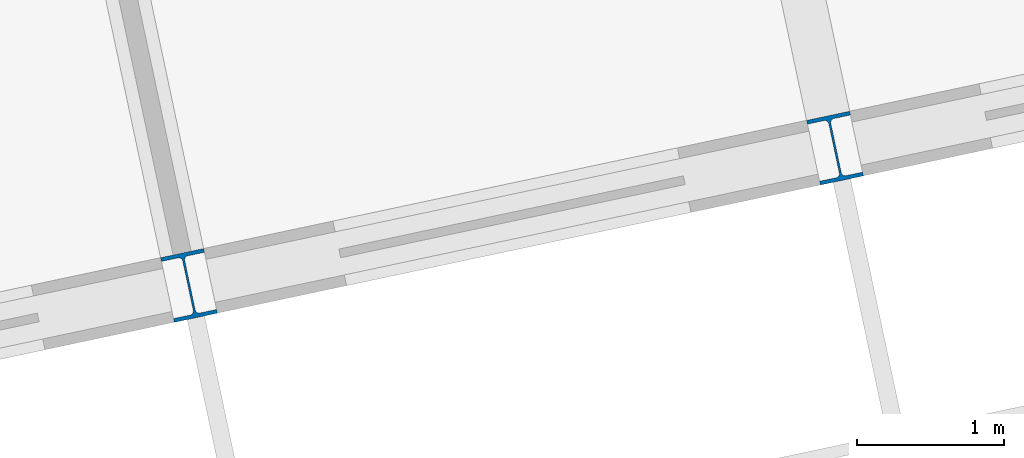
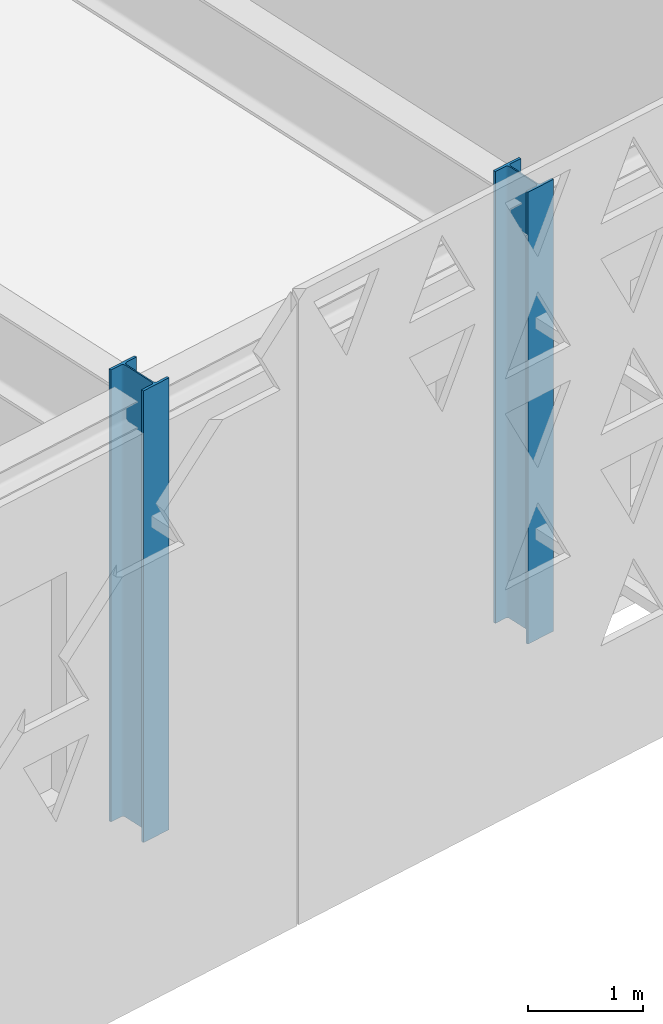
# One storey, part 13 of 182: 2 columns.
"""IFC4 building model written with IfcOpenShell, lengths in metres."""

from ifc_helpers import new_model, si_unit, direction, frame, origin, origin_2d, place, context, subcontext, project, spatial, i_section, extrude, material, material_profile, profile_set, type_object, element, save


model = new_model("IFC4")

# Units and contexts
model_context = context("Model", 3, precision=1e-05, world=origin(), true_north=direction((0.0, 1.0)))
body_context = subcontext(model_context, "Body", "Model", "MODEL_VIEW")
ifc_project = project(units=[si_unit("LENGTHUNIT", "METRE"), si_unit("AREAUNIT", "SQUARE_METRE"), si_unit("VOLUMEUNIT", "CUBIC_METRE"), si_unit("PLANEANGLEUNIT", "RADIAN"), si_unit("MASSUNIT", "GRAM", prefix="KILO")], contexts=[model_context])

# Site, building, storey
site_placement = place(None, origin())
site = spatial("IfcSite", under=ifc_project, at=site_placement, CompositionType="ELEMENT")
building_placement = place(site_placement, origin())
building = spatial("IfcBuilding", under=site, at=building_placement, Name="Okhra Congress Centre", CompositionType="ELEMENT")
storey_placement = place(building_placement, frame((0.0, 0.0, 7.199951171875)))
storey = spatial("IfcBuildingStorey", under=building, at=storey_placement, Name="L01", CompositionType="ELEMENT", Elevation=7.199951171875)

# Columns
ifc_material = material(Name="Steel S355J2", Category="steel")
ifc_material_profile = material_profile(ifc_material, i_section(OverallWidth=0.300048828125, OverallDepth=0.449951171875, WebThickness=0.013916015625, FlangeThickness=0.02587890625, FilletRadius=0.027099609375, at=origin_2d()), Name="HE 450 B")
ifc_profile_set = profile_set([ifc_material_profile], Name="Steel S355J2")
column_type = type_object("IfcColumnType", Name="Steel post HE 450 B", PredefinedType="COLUMN", material=ifc_profile_set)
for number, where, z_axis, x_axis, name in (
    (1, (188.6591796875, 53.941650390625, 0.0), (0.0, 0.0, 1.0), (0.978147600734, 0.207911690818, 0.0), "Post S30"),
    (2, (193.06103515625, 54.877197265625, 0.0), (0.0, 0.0, 1.0), (0.978147600734, 0.207911690818, 0.0), "Post S31"),
):
    element("IfcColumn", number, at=place(storey_placement, frame(where, z_axis=z_axis, x_axis=x_axis)), inside=storey, type_object=column_type, Name=name, PredefinedType="COLUMN", context=body_context, shape_type="SweptSolid", body=[
        extrude(i_section(OverallWidth=0.300048828125, OverallDepth=0.449951171875, WebThickness=0.013916015625, FlangeThickness=0.02587890625, FilletRadius=0.027099609375, at=origin_2d()), origin(), (0.0, 0.0, 1.0), 4.800048828125),
    ])

save(model, "model.ifc")
